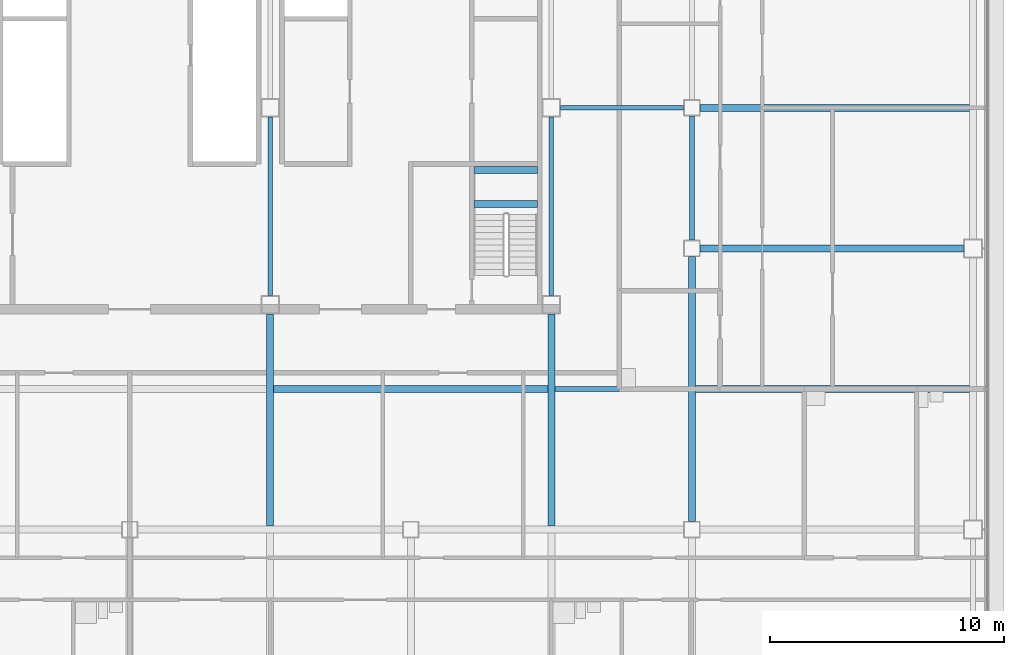
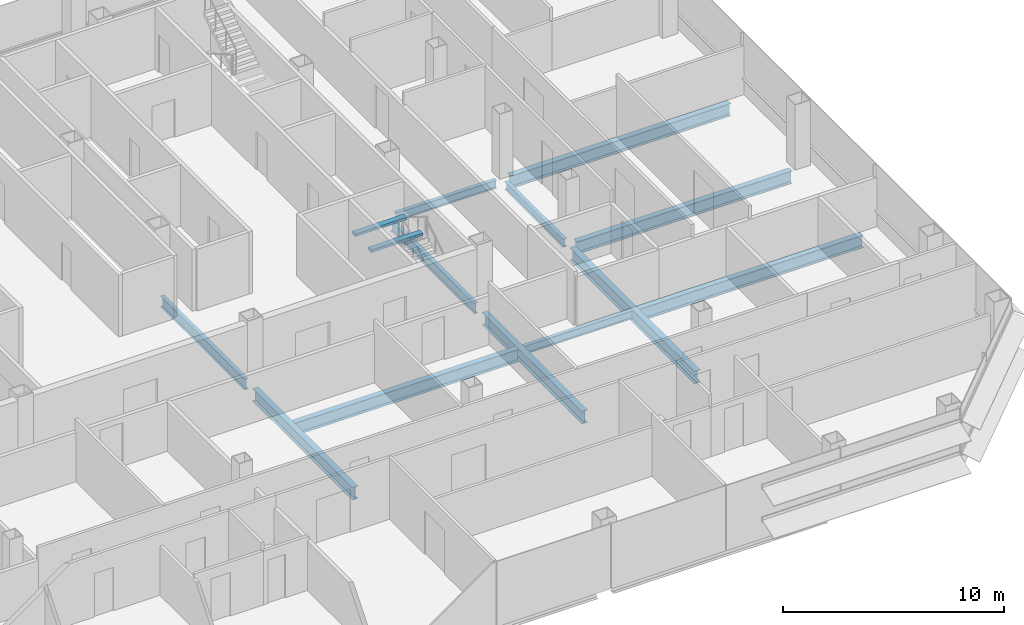
# One storey, part 10 of 25: 14 beams.
"""IFC4 building model written with IfcOpenShell, lengths in metres."""

import ifcopenshell
import ifcopenshell.guid

model = None  # the IFC model being written
_history = None  # IfcOwnerHistory: only IFC2X3 demands one
_inside = {}  # id of a spatial element -> (the spatial element, [elements in it])
_under = {}  # id of a project, library or spatial element -> (it, [spatial elements below it])
_declared = {}  # id of a project -> (the project, [libraries it declares])
_typed = {}  # id of a type object -> (the type object, [elements of that type])
_made_of = {}  # id of a material, layer set ... -> (it, [elements and type objects made of it])


def new_model(schema):
    """Start an empty IFC model of exactly this schema.

    Asked for "IFC4X3", IfcOpenShell would pick the latest addendum, in which some entities
    have other attributes; the version numbers below select the first issue.
    IFC2X3 requires an IfcOwnerHistory on every rooted entity: one is made here for all.
    """
    global model, _history
    if schema == "IFC4X3":
        model = ifcopenshell.file(schema_version=(4, 3, 0, 0))
    else:
        model = ifcopenshell.file(schema=schema)
    _inside.clear()
    _under.clear()
    _declared.clear()
    _typed.clear()
    _made_of.clear()
    _history = None
    if model.schema == "IFC2X3":
        org = make("IfcOrganization", Name="unknown")
        user = make(
            "IfcPersonAndOrganization",
            ThePerson=make("IfcPerson", FamilyName="unknown"),
            TheOrganization=org,
        )
        app = make(
            "IfcApplication",
            ApplicationDeveloper=org,
            Version="unknown",
            ApplicationFullName="unknown",
            ApplicationIdentifier="unknown",
        )
        _history = make(
            "IfcOwnerHistory",
            OwningUser=user,
            OwningApplication=app,
            ChangeAction="ADDED",
            CreationDate=0,
        )
    return model


def make(cls, **values):
    """One entity of the class cls with the attributes given. An attribute that is None is left unset."""
    return model.create_entity(
        cls, **{name: value for name, value in values.items() if value is not None}
    )


def rooted(cls, **values):
    """An entity with a GlobalId (a new one), such as an element, a storey or a relation."""
    return make(cls, GlobalId=ifcopenshell.guid.new(), OwnerHistory=_history, **values)


def si_unit(unit_type, name, prefix=None):
    """IfcSIUnit, for example si_unit("LENGTHUNIT", "METRE", prefix="MILLI")."""
    return make("IfcSIUnit", UnitType=unit_type, Prefix=prefix, Name=name)


def assignment(units):
    """IfcUnitAssignment: the units of a project."""
    return None if units is None else make("IfcUnitAssignment", Units=units)


def point(xyz):
    """IfcCartesianPoint."""
    return None if xyz is None else make("IfcCartesianPoint", Coordinates=xyz)


def direction(xyz):
    """IfcDirection."""
    return None if xyz is None else make("IfcDirection", DirectionRatios=xyz)


def frame(location, z_axis=None, x_axis=None):
    """IfcAxis2Placement3D, a coordinate frame: its origin and axes. An axis left out is left unset."""
    return make(
        "IfcAxis2Placement3D",
        Location=point(location),
        Axis=direction(z_axis),
        RefDirection=direction(x_axis),
    )


def frame_2d(location, x_axis=None):
    """IfcAxis2Placement2D, a coordinate frame in the plane: its origin and x axis."""
    return make(
        "IfcAxis2Placement2D", Location=point(location), RefDirection=direction(x_axis)
    )


def origin():
    """The frame at (0, 0, 0) with its axes left unset."""
    return frame((0.0, 0.0, 0.0))


def origin_2d():
    """The frame at (0, 0) in the plane with its x axis left unset."""
    return frame_2d((0.0, 0.0))


def place(relative_to, where):
    """IfcLocalPlacement: puts the frame where relative to a parent placement (None: the world)."""
    return make(
        "IfcLocalPlacement", PlacementRelTo=relative_to, RelativePlacement=where
    )


def context(
    kind, dimensions, precision=None, world=None, true_north=None, identifier=None
):
    """IfcGeometricRepresentationContext, for example the 3D "Model" context."""
    return make(
        "IfcGeometricRepresentationContext",
        ContextIdentifier=identifier,
        ContextType=kind,
        CoordinateSpaceDimension=dimensions,
        Precision=precision,
        WorldCoordinateSystem=world,
        TrueNorth=true_north,
    )


def subcontext(parent, identifier, kind, view, scale=None):
    """IfcGeometricRepresentationSubContext, for example "Body" below "Model"."""
    return make(
        "IfcGeometricRepresentationSubContext",
        ContextIdentifier=identifier,
        ContextType=kind,
        ParentContext=parent,
        TargetScale=scale,
        TargetView=view,
    )


def project(units=None, contexts=None):
    """IfcProject with its units and contexts."""
    return rooted(
        "IfcProject",
        Name="project",
        RepresentationContexts=contexts,
        UnitsInContext=assignment(units),
    )


def spatial(cls, under=None, at=None, **own):
    """A site, building, storey or space (cls), placed at a placement, below another one or the project."""
    s = rooted(cls, ObjectPlacement=at, **own)
    if under is not None:
        _under.setdefault(under.id(), (under, []))[1].append(s)
    return s


def profile(cls, at=None, kind="AREA", **sizes):
    """A parametric profile (cls). Its sizes go by their IFC names, for example OverallWidth=200.0."""
    return make(cls, ProfileType=kind, Position=at, **sizes)


def rectangle(**sizes):
    """IfcRectangleProfileDef."""
    return profile("IfcRectangleProfileDef", **sizes)


def i_section(**sizes):
    """IfcIShapeProfileDef."""
    return profile("IfcIShapeProfileDef", **sizes)


def extrude(swept, where, along, depth):
    """IfcExtrudedAreaSolid: the profile swept, set in the frame where, extruded along a direction by depth."""
    return make(
        "IfcExtrudedAreaSolid",
        SweptArea=swept,
        Position=where,
        ExtrudedDirection=direction(along),
        Depth=depth,
    )


def shape(context_of_items, identifier, shape_type, items):
    """IfcShapeRepresentation: the items that make up one representation, for example the "Body"."""
    return make(
        "IfcShapeRepresentation",
        ContextOfItems=context_of_items,
        RepresentationIdentifier=identifier,
        RepresentationType=shape_type,
        Items=items,
    )


def material(Name=None, Category=None):
    """IfcMaterial."""
    return make("IfcMaterial", Name=Name, Category=Category)


def material_profile(
    of_material, cross_section, Name=None, Category=None, Priority=None
):
    """IfcMaterialProfile: a cross section and its material."""
    return make(
        "IfcMaterialProfile",
        Name=Name,
        Material=of_material,
        Profile=cross_section,
        Priority=Priority,
        Category=Category,
    )


def profile_set(profiles, Name=None, composite=None):
    """IfcMaterialProfileSet."""
    return make(
        "IfcMaterialProfileSet",
        Name=Name,
        MaterialProfiles=profiles,
        CompositeProfile=composite,
    )


def made_of(thing, what):
    """Note that an element or type object is made of a material, layer set ...; save() writes the relation."""
    if what is not None:
        _made_of.setdefault(what.id(), (what, []))[1].append(thing)
    return thing


def type_object(cls, material=None, **own):
    """A type object (cls), such as IfcWallType, which elements share."""
    return made_of(rooted(cls, **own), material)


def element(
    cls,
    number,
    at=None,
    inside=None,
    cuts=None,
    type_object=None,
    material=None,
    context=None,
    identifier="Body",
    shape_type=None,
    held_by="IfcProductDefinitionShape",
    body=None,
    shapes=None,
    **own,
):
    """One element of the class cls, such as IfcWall. Its Tag is "e" and its number.

    at: its placement. inside: the storey or other place that contains it. cuts: it is an
    opening in that element (IfcRelVoidsElement). A single representation is given by context,
    identifier, shape_type and body (its items); several are given by shapes. held_by: the class
    of the entity that holds the representations. save() writes the other relations.
    """
    e = rooted(cls, Tag="e%d" % number, ObjectPlacement=at, **own)
    if body is not None:
        shapes = [shape(context, identifier, shape_type, body)]
    if shapes is not None:
        e.Representation = make(held_by, Representations=shapes)
    if inside is not None:
        _inside.setdefault(inside.id(), (inside, []))[1].append(e)
    if cuts is not None:
        rooted(
            "IfcRelVoidsElement", RelatingBuildingElement=cuts, RelatedOpeningElement=e
        )
    if type_object is not None:
        _typed.setdefault(type_object.id(), (type_object, []))[1].append(e)
    return made_of(e, material)


def aggregate(whole, parts):
    """IfcRelAggregates: a whole, such as a stair, and the parts it consists of."""
    return rooted("IfcRelAggregates", RelatingObject=whole, RelatedObjects=parts)


def save(model, path):
    """Write the relations noted so far, then the file.

    IfcRelAggregates (storeys below a building ...), IfcRelContainedInSpatialStructure (elements
    in a storey), IfcRelDefinesByType, IfcRelAssociatesMaterial and IfcRelDeclares: one each for
    every whole, place, type object, material and project.
    """
    for whole, parts in _under.values():
        aggregate(whole, parts)
    for where, things in _inside.values():
        rooted(
            "IfcRelContainedInSpatialStructure",
            RelatedElements=things,
            RelatingStructure=where,
        )
    for kind, things in _typed.values():
        rooted("IfcRelDefinesByType", RelatedObjects=things, RelatingType=kind)
    for what, things in _made_of.values():
        rooted("IfcRelAssociatesMaterial", RelatedObjects=things, RelatingMaterial=what)
    for by, libraries in _declared.values():
        rooted("IfcRelDeclares", RelatingContext=by, RelatedDefinitions=libraries)
    model.write(path)


model = new_model("IFC4")

# Units and contexts
model_context = context("Model", 3, precision=1e-05, world=origin(), true_north=direction((0.0, 1.0)))
body_context = subcontext(model_context, "Body", "Model", "MODEL_VIEW")
ifc_project = project(units=[si_unit("LENGTHUNIT", "METRE"), si_unit("AREAUNIT", "SQUARE_METRE"), si_unit("VOLUMEUNIT", "CUBIC_METRE"), si_unit("PLANEANGLEUNIT", "RADIAN"), si_unit("MASSUNIT", "GRAM", prefix="KILO")], contexts=[model_context])

# Site, building, storey
site_placement = place(None, origin())
site = spatial("IfcSite", under=ifc_project, at=site_placement, CompositionType="ELEMENT")
building_placement = place(site_placement, origin())
building = spatial("IfcBuilding", under=site, at=building_placement, Name="Sorahane Residences", CompositionType="ELEMENT")
storey_placement = place(building_placement, frame((0.0, 0.0, 99.800048828125)))
storey = spatial("IfcBuildingStorey", under=building, at=storey_placement, Name="L21", CompositionType="ELEMENT", Elevation=99.800048828125)

# Beams
ifc_material_1 = material(Name="Concrete C40", Category="concrete")
ifc_material_profile_1 = material_profile(ifc_material_1, rectangle(XDim=0.300048828125, YDim=0.139892578125, at=origin_2d()), Name="300x140")
ifc_profile_set_1 = profile_set([ifc_material_profile_1], Name="Concrete C40")
beam_type_1 = type_object("IfcBeamType", Name="RC landing beam 300 x 140 Concrete C40", PredefinedType="BEAM", material=ifc_profile_set_1)
for number, where, z_axis, x_axis, name in (
    (1, (38.699951171875, 25.89990234375, 1.530029296875), (1.0, 0.0, 0.0), (0.0, 1.0, 0.0), "Landing beam"),
    (2, (38.699951171875, 27.35009765625, 1.530029296875), (1.0, 0.0, 0.0), (0.0, 1.0, 0.0), "Landing beam"),
):
    element("IfcBeam", number, at=place(storey_placement, frame(where, z_axis=z_axis, x_axis=x_axis)), inside=storey, type_object=beam_type_1, Name=name, PredefinedType="BEAM", context=body_context, shape_type="SweptSolid", body=[
        extrude(rectangle(XDim=0.300048828125, YDim=0.139892578125, at=origin_2d()), origin(), (0.0, 0.0, 1.0), 2.699951171875),
    ])
ifc_material_2 = material(Name="Steel Q355B", Category="steel")
ifc_material_profile_2 = material_profile(ifc_material_2, i_section(OverallWidth=0.199951171875, OverallDepth=0.449951171875, WebThickness=0.009033203125, FlangeThickness=0.013916015625, FilletRadius=0.02001953125, at=origin_2d()), Name="HN 450x200x9x14")
ifc_profile_set_2 = profile_set([ifc_material_profile_2], Name="Steel Q355B")
beam_type_2 = type_object("IfcBeamType", Name="Steel floor beam HN 450x200x9x14 Q355B", PredefinedType="BEAM", material=ifc_profile_set_2)
beam_1_placement = place(storey_placement, frame((48.0, 24.35009765625, -0.405029296875), z_axis=(0.0, 1.0, 0.0), x_axis=(-1.0, 0.0, 0.0)))
element("IfcBeam", 3, at=beam_1_placement, inside=storey, type_object=beam_type_2, Name="Beam L21 060", PredefinedType="BEAM", context=body_context, shape_type="SweptSolid", body=[
    extrude(i_section(OverallWidth=0.199951171875, OverallDepth=0.449951171875, WebThickness=0.009033203125, FlangeThickness=0.013916015625, FilletRadius=0.02001953125, at=origin_2d()), origin(), (0.0, 0.0, 1.0), 5.2998046875),
])
beam_2_placement = place(storey_placement, frame((42.14990234375, 18.0, -0.405029296875), z_axis=(1.0, 0.0, 0.0), x_axis=(0.0, 1.0, 0.0)))
element("IfcBeam", 4, at=beam_2_placement, inside=storey, type_object=beam_type_2, Name="Beam L21 083", PredefinedType="BEAM", context=body_context, shape_type="SweptSolid", body=[
    extrude(i_section(OverallWidth=0.199951171875, OverallDepth=0.449951171875, WebThickness=0.009033203125, FlangeThickness=0.013916015625, FilletRadius=0.02001953125, at=origin_2d()), origin(), (0.0, 0.0, 1.0), 5.7001953125),
])
beam_3_placement = place(storey_placement, frame((42.39990234375, 30.0, -0.405029296875), z_axis=(1.0, 0.0, 0.0), x_axis=(0.0, 1.0, 0.0)))
element("IfcBeam", 5, at=beam_3_placement, inside=storey, type_object=beam_type_2, Name="Beam L21 087", PredefinedType="BEAM", context=body_context, shape_type="SweptSolid", body=[
    extrude(i_section(OverallWidth=0.199951171875, OverallDepth=0.449951171875, WebThickness=0.009033203125, FlangeThickness=0.013916015625, FilletRadius=0.02001953125, at=origin_2d()), origin(), (0.0, 0.0, 1.0), 5.25),
])
ifc_material_3 = material(Name="Steel Q355B", Category="steel")
ifc_material_profile_3 = material_profile(ifc_material_3, i_section(OverallWidth=0.199951171875, OverallDepth=0.60009765625, WebThickness=0.010986328125, FlangeThickness=0.01708984375, FilletRadius=0.02392578125, at=origin_2d()), Name="HN 600x200x11x17")
ifc_profile_set_3 = profile_set([ifc_material_profile_3], Name="Steel Q355B")
beam_type_3 = type_object("IfcBeamType", Name="Steel floor beam HN 600x200x11x17 Q355B", PredefinedType="BEAM", material=ifc_profile_set_3)
for number, where, z_axis, x_axis, name in (
    (6, (30.0, 22.0, -0.47998046875), (0.0, 1.0, 0.0), (-1.0, 0.0, 0.0), "Beam L21 046"),
    (7, (42.0, 22.0, -0.47998046875), (0.0, 1.0, 0.0), (-1.0, 0.0, 0.0), "Beam L21 054"),
):
    element("IfcBeam", number, at=place(storey_placement, frame(where, z_axis=z_axis, x_axis=x_axis)), inside=storey, type_object=beam_type_3, Name=name, PredefinedType="BEAM", context=body_context, shape_type="SweptSolid", body=[
        extrude(i_section(OverallWidth=0.199951171875, OverallDepth=0.60009765625, WebThickness=0.010986328125, FlangeThickness=0.01708984375, FilletRadius=0.02392578125, at=origin_2d()), origin(), (0.0, 0.0, 1.0), 7.60009765625),
    ])
ifc_material_4 = material(Name="Steel Q355B", Category="steel")
ifc_material_profile_4 = material_profile(ifc_material_4, i_section(OverallWidth=0.300048828125, OverallDepth=0.699951171875, WebThickness=0.012939453125, FlangeThickness=0.02392578125, FilletRadius=0.028076171875, at=origin_2d()), Name="HN 700x300x13x24")
ifc_profile_set_4 = profile_set([ifc_material_profile_4], Name="Steel Q355B")
beam_type_4 = type_object("IfcBeamType", Name="Steel floor beam HN 700x300x13x24 Q355B", PredefinedType="BEAM", material=ifc_profile_set_4)
beam_4_placement = place(storey_placement, frame((48.35009765625, 24.0, -0.530029296875), z_axis=(1.0, 0.0, 0.0), x_axis=(0.0, 1.0, 0.0)))
element("IfcBeam", 8, at=beam_4_placement, inside=storey, type_object=beam_type_4, Name="Beam L21 012", PredefinedType="BEAM", context=body_context, shape_type="SweptSolid", body=[
    extrude(i_section(OverallWidth=0.300048828125, OverallDepth=0.699951171875, WebThickness=0.012939453125, FlangeThickness=0.02392578125, FilletRadius=0.028076171875, at=origin_2d()), origin(), (0.0, 0.0, 1.0), 11.25),
])
for number, where, z_axis, x_axis, name in (
    (9, (30.0, 12.14990234375, -0.530029296875), (0.0, 1.0, 0.0), (-1.0, 0.0, 0.0), "Beam L21 045"),
    (10, (42.0, 12.14990234375, -0.530029296875), (0.0, 1.0, 0.0), (-1.0, 0.0, 0.0), "Beam L21 053"),
):
    element("IfcBeam", number, at=place(storey_placement, frame(where, z_axis=z_axis, x_axis=x_axis)), inside=storey, type_object=beam_type_4, Name=name, PredefinedType="BEAM", context=body_context, shape_type="SweptSolid", body=[
        extrude(i_section(OverallWidth=0.300048828125, OverallDepth=0.699951171875, WebThickness=0.012939453125, FlangeThickness=0.02392578125, FilletRadius=0.028076171875, at=origin_2d()), origin(), (0.0, 0.0, 1.0), 9.050048828125),
    ])
beam_5_placement = place(storey_placement, frame((48.0, 12.35009765625, -0.530029296875), z_axis=(0.0, 1.0, 0.0), x_axis=(-1.0, 0.0, 0.0)))
element("IfcBeam", 11, at=beam_5_placement, inside=storey, type_object=beam_type_4, Name="Beam L21 059", PredefinedType="BEAM", context=body_context, shape_type="SweptSolid", body=[
    extrude(i_section(OverallWidth=0.300048828125, OverallDepth=0.699951171875, WebThickness=0.012939453125, FlangeThickness=0.02392578125, FilletRadius=0.028076171875, at=origin_2d()), origin(), (0.0, 0.0, 1.0), 11.2998046875),
])
for number, where, z_axis, x_axis, name in (
    (12, (30.14990234375, 18.0, -0.530029296875), (1.0, 0.0, 0.0), (0.0, 1.0, 0.0), "Beam L21 082"),
    (13, (48.14990234375, 18.0, -0.530029296875), (1.0, 0.0, 0.0), (0.0, 1.0, 0.0), "Beam L21 084"),
):
    element("IfcBeam", number, at=place(storey_placement, frame(where, z_axis=z_axis, x_axis=x_axis)), inside=storey, type_object=beam_type_4, Name=name, PredefinedType="BEAM", context=body_context, shape_type="SweptSolid", body=[
        extrude(i_section(OverallWidth=0.300048828125, OverallDepth=0.699951171875, WebThickness=0.012939453125, FlangeThickness=0.02392578125, FilletRadius=0.028076171875, at=origin_2d()), origin(), (0.0, 0.0, 1.0), 11.7001953125),
    ])
beam_6_placement = place(storey_placement, frame((48.35009765625, 30.0, -0.530029296875), z_axis=(1.0, 0.0, 0.0), x_axis=(0.0, 1.0, 0.0)))
element("IfcBeam", 14, at=beam_6_placement, inside=storey, type_object=beam_type_4, Name="Beam L21 088", PredefinedType="BEAM", context=body_context, shape_type="SweptSolid", body=[
    extrude(i_section(OverallWidth=0.300048828125, OverallDepth=0.699951171875, WebThickness=0.012939453125, FlangeThickness=0.02392578125, FilletRadius=0.028076171875, at=origin_2d()), origin(), (0.0, 0.0, 1.0), 11.5),
])

save(model, "model.ifc")
